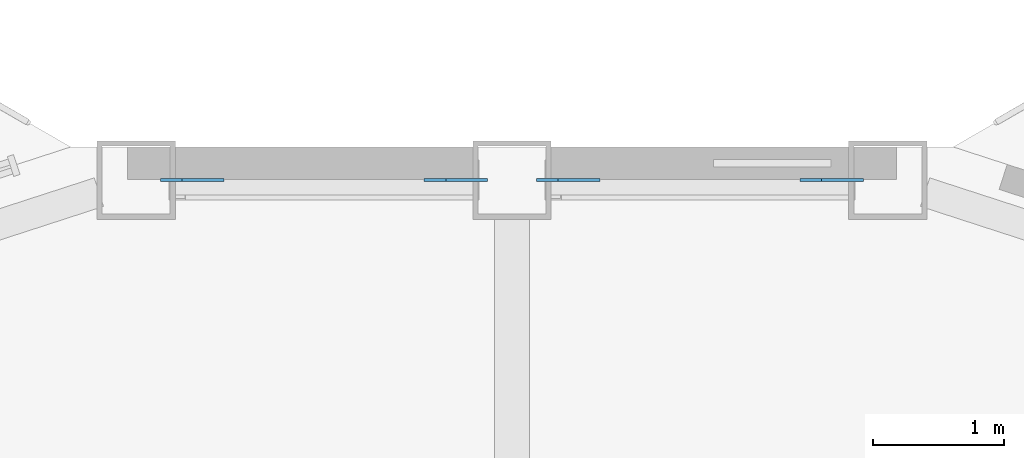
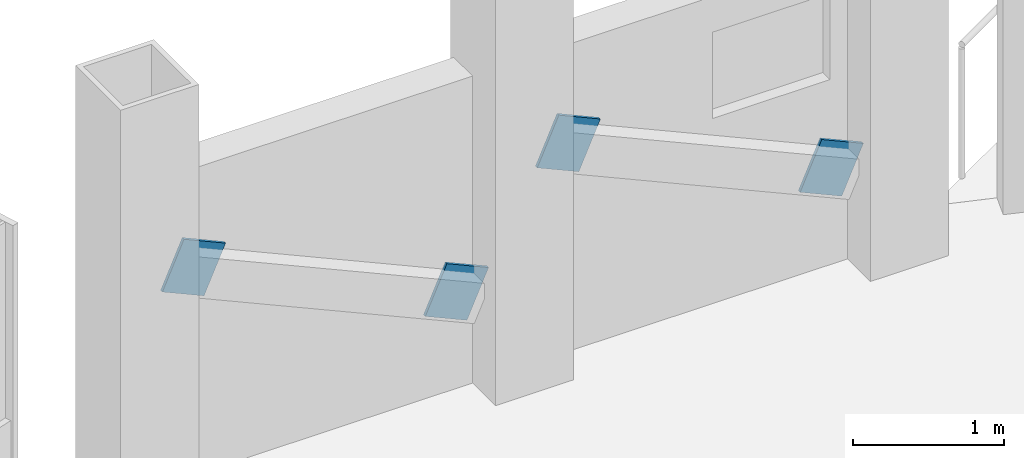
# One storey, part 22 of 27: 4 discrete accessories.
"""IFC4 building model written with IfcOpenShell, lengths in metres."""

from ifc_helpers import new_model, si_unit, direction, frame, origin, origin_2d, place, context, subcontext, project, spatial, rectangle, extrude, material, material_profile, profile_set, type_object, element, save


model = new_model("IFC4")

# Units and contexts
model_context = context("Model", 3, precision=1e-05, world=origin(), true_north=direction((0.0, 1.0)))
body_context = subcontext(model_context, "Body", "Model", "MODEL_VIEW")
ifc_project = project(units=[si_unit("LENGTHUNIT", "METRE"), si_unit("AREAUNIT", "SQUARE_METRE"), si_unit("VOLUMEUNIT", "CUBIC_METRE"), si_unit("PLANEANGLEUNIT", "RADIAN"), si_unit("MASSUNIT", "GRAM", prefix="KILO")], contexts=[model_context])

# Site, building, storey
site_placement = place(None, origin())
site = spatial("IfcSite", under=ifc_project, at=site_placement, CompositionType="ELEMENT")
building_placement = place(site_placement, origin())
building = spatial("IfcBuilding", under=site, at=building_placement, Name="Cormorant Prow Tower", CompositionType="ELEMENT")
storey_placement = place(building_placement, frame((0.0, 0.0, 315.39990234375)))
storey = spatial("IfcBuildingStorey", under=building, at=storey_placement, Name="L69", CompositionType="ELEMENT", Elevation=315.39990234375)

# Discrete accessories
ifc_material = material(Name="Structural steel ASTM A500 Gr C", Category="steel")
ifc_material_profile = material_profile(ifc_material, rectangle(XDim=0.02490234375, YDim=0.405029296875, at=origin_2d()), Name="Gusset plate 25x405")
ifc_profile_set = profile_set([ifc_material_profile], Name="Structural steel ASTM A500 Gr C")
discrete_accessory_type = type_object("IfcDiscreteAccessoryType", Name="Gusset plate 25x405", PredefinedType="BRACKET", material=ifc_profile_set)
for number, where, z_axis, x_axis, name in (
    (1, (2.28515625, 31.676025390625, 0.86376953125), (0.912599106234, 0.0, -0.408855562884), (0.0, 1.0, 0.0), "Gusset plate GP3 L69.N00.g0"),
    (2, (0.588623046875, 31.676025390625, 1.624267578125), (-0.912599106234, 0.0, 0.408855562884), (0.0, -1.0, 0.0), "Gusset plate GP3 L69.N00.g1"),
    (3, (-0.588623046875, 31.676025390625, 0.86376953125), (0.912599106234, 0.0, -0.408855562884), (0.0, 1.0, 0.0), "Gusset plate GP3 L69.N01.g0"),
    (4, (-2.28515625, 31.676025390625, 1.624267578125), (-0.912599106234, 0.0, 0.408855562884), (0.0, -1.0, 0.0), "Gusset plate GP3 L69.N01.g1"),
):
    element("IfcDiscreteAccessory", number, at=place(storey_placement, frame(where, z_axis=z_axis, x_axis=x_axis)), inside=storey, type_object=discrete_accessory_type, Name=name, PredefinedType="BRACKET", context=body_context, shape_type="SweptSolid", body=[
        extrude(rectangle(XDim=0.02490234375, YDim=0.405029296875, at=origin_2d()), origin(), (0.0, 0.0, 1.0), 0.349853515625),
    ])

save(model, "model.ifc")
